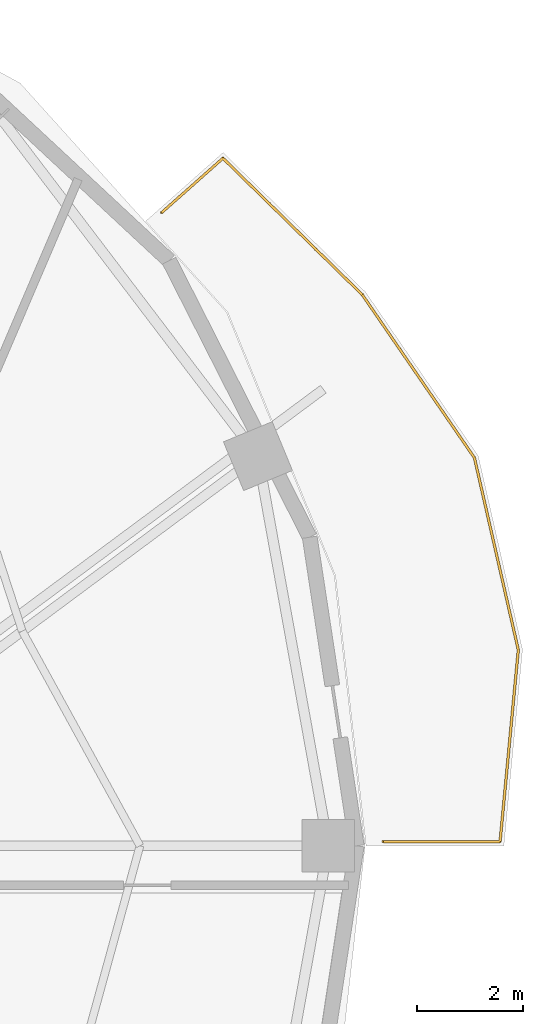
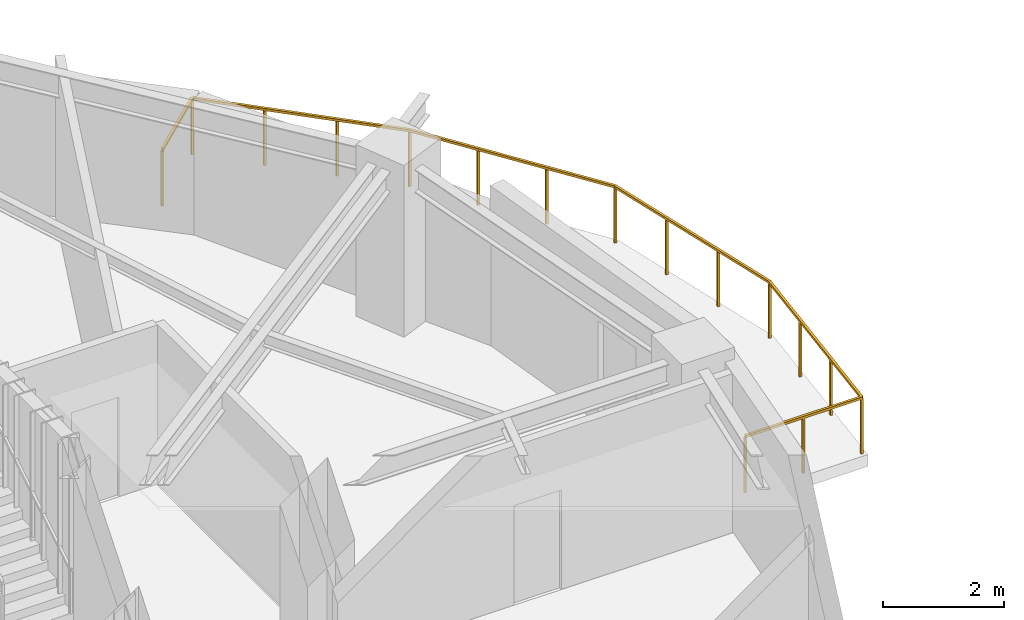
# One storey, part 10 of 10: 1 railing.
"""IFC4 building model written with IfcOpenShell, lengths in metres."""

from ifc_helpers import new_model, si_unit, direction, frame, origin, origin_2d, place, context, subcontext, project, spatial, rectangle, extrude, material, type_object, element, save


model = new_model("IFC4")

# Units and contexts
model_context = context("Model", 3, precision=1e-05, world=origin(), true_north=direction((0.0, 1.0)))
body_context = subcontext(model_context, "Body", "Model", "MODEL_VIEW")
ifc_project = project(units=[si_unit("LENGTHUNIT", "METRE"), si_unit("AREAUNIT", "SQUARE_METRE"), si_unit("VOLUMEUNIT", "CUBIC_METRE"), si_unit("PLANEANGLEUNIT", "RADIAN"), si_unit("MASSUNIT", "GRAM", prefix="KILO")], contexts=[model_context])

# Site, building, storey
site_placement = place(None, origin())
site = spatial("IfcSite", under=ifc_project, at=site_placement, CompositionType="ELEMENT")
building_placement = place(site_placement, origin())
building = spatial("IfcBuilding", under=site, at=building_placement, Name="Haldorwick Loom Tower", CompositionType="ELEMENT")
storey_placement = place(building_placement, frame((0.0, 0.0, 259.199951171875)))
storey = spatial("IfcBuildingStorey", under=building, at=storey_placement, Name="L70", CompositionType="ELEMENT", Elevation=259.199951171875)

# Railing
ifc_material = material(Name="Galvanized Steel CSA G40.21 350W", Category="steel")
railing_type = type_object("IfcRailingType", Name="ARC-RLG-BAL115", PredefinedType="BALUSTRADE", material=ifc_material)
railing_placement = place(storey_placement, frame((57.180419921875, 38.001953125, 0.0)))
element("IfcRailing", 1, at=railing_placement, inside=storey, type_object=railing_type, Name="L70 Outdoor Terrace Guardrail SLB-L70-BAL_ENE-1", PredefinedType="BALUSTRADE", context=body_context, shape_type="SweptSolid", body=[
    extrude(rectangle(XDim=0.048095703125, YDim=0.048095703125, at=origin_2d()), frame((0.0, 0.0, 1.1259765625), z_axis=(0.748094797848, 0.663591872639, 0.0), x_axis=(-0.663591872639, 0.748094797848, 0.0)), (0.0, 0.0, 1.0), 1.551513671875),
    extrude(rectangle(XDim=0.048095703125, YDim=0.048095703125, at=origin_2d()), frame((1.16064453125, 1.029541015625, 1.1259765625), z_axis=(0.714433376958, -0.699703472829, 0.0), x_axis=(0.699703472829, 0.714433376958, 0.0)), (0.0, 0.0, 1.0), 3.696044921875),
    extrude(rectangle(XDim=0.048095703125, YDim=0.048095703125, at=origin_2d()), frame((3.80126953125, -1.556640625, 1.1259765625), z_axis=(0.566625473996, -0.823975468214, 0.0), x_axis=(0.823975468214, 0.566625473996, 0.0)), (0.0, 0.0, 1.0), 3.751953125),
    extrude(rectangle(XDim=0.048095703125, YDim=0.048095703125, at=origin_2d()), frame((5.92724609375, -4.648193359375, 1.1259765625), z_axis=(0.222686328314, -0.974890147238, 0.0), x_axis=(0.974890147238, 0.222686328314, 0.0)), (0.0, 0.0, 1.0), 3.734130859375),
    extrude(rectangle(XDim=0.048095703125, YDim=0.048095703125, at=origin_2d()), frame((6.7587890625, -8.28857421875, 1.1259765625), z_axis=(-0.09458811461, -0.995516493371, 0.0), x_axis=(0.995516493371, -0.09458811461, 0.0)), (0.0, 0.0, 1.0), 3.649658203125),
    extrude(rectangle(XDim=0.048095703125, YDim=0.048095703125, at=origin_2d()), frame((6.41357421875, -11.921875, 1.1259765625), z_axis=(-1.0, 0.0, 0.0), x_axis=(0.0, -1.0, 0.0)), (0.0, 0.0, 1.0), 2.214111328125),
    extrude(rectangle(XDim=0.0419921875, YDim=0.0419921875, at=origin_2d()), origin(), (0.0, 0.0, 1.0), 1.101806640625),
    extrude(rectangle(XDim=0.0419921875, YDim=0.0419921875, at=origin_2d()), frame((1.16064453125, 1.029541015625, 0.0)), (0.0, 0.0, 1.0), 1.101806640625),
    extrude(rectangle(XDim=0.0419921875, YDim=0.0419921875, at=origin_2d()), frame((2.040771484375, 0.16748046875, 0.0)), (0.0, 0.0, 1.0), 1.101806640625),
    extrude(rectangle(XDim=0.0419921875, YDim=0.0419921875, at=origin_2d()), frame((2.921142578125, -0.694580078125, 0.0)), (0.0, 0.0, 1.0), 1.101806640625),
    extrude(rectangle(XDim=0.0419921875, YDim=0.0419921875, at=origin_2d()), frame((3.80126953125, -1.556640625, 0.0)), (0.0, 0.0, 1.0), 1.101806640625),
    extrude(rectangle(XDim=0.0419921875, YDim=0.0419921875, at=origin_2d()), frame((4.510009765625, -2.587158203125, 0.0)), (0.0, 0.0, 1.0), 1.101806640625),
    extrude(rectangle(XDim=0.0419921875, YDim=0.0419921875, at=origin_2d()), frame((5.218505859375, -3.61767578125, 0.0)), (0.0, 0.0, 1.0), 1.101806640625),
    extrude(rectangle(XDim=0.0419921875, YDim=0.0419921875, at=origin_2d()), frame((5.92724609375, -4.648193359375, 0.0)), (0.0, 0.0, 1.0), 1.101806640625),
    extrude(rectangle(XDim=0.0419921875, YDim=0.0419921875, at=origin_2d()), frame((6.204345703125, -5.861572265625, 0.0)), (0.0, 0.0, 1.0), 1.101806640625),
    extrude(rectangle(XDim=0.0419921875, YDim=0.0419921875, at=origin_2d()), frame((6.481689453125, -7.0751953125, 0.0)), (0.0, 0.0, 1.0), 1.101806640625),
    extrude(rectangle(XDim=0.0419921875, YDim=0.0419921875, at=origin_2d()), frame((6.7587890625, -8.28857421875, 0.0)), (0.0, 0.0, 1.0), 1.101806640625),
    extrude(rectangle(XDim=0.0419921875, YDim=0.0419921875, at=origin_2d()), frame((6.643798828125, -9.499755859375, 0.0)), (0.0, 0.0, 1.0), 1.101806640625),
    extrude(rectangle(XDim=0.0419921875, YDim=0.0419921875, at=origin_2d()), frame((6.528564453125, -10.710693359375, 0.0)), (0.0, 0.0, 1.0), 1.101806640625),
    extrude(rectangle(XDim=0.0419921875, YDim=0.0419921875, at=origin_2d()), frame((6.41357421875, -11.921875, 0.0)), (0.0, 0.0, 1.0), 1.101806640625),
    extrude(rectangle(XDim=0.0419921875, YDim=0.0419921875, at=origin_2d()), frame((5.306640625, -11.921875, 0.0)), (0.0, 0.0, 1.0), 1.101806640625),
    extrude(rectangle(XDim=0.0419921875, YDim=0.0419921875, at=origin_2d()), frame((4.199462890625, -11.921875, 0.0)), (0.0, 0.0, 1.0), 1.101806640625),
])

save(model, "model.ifc")
